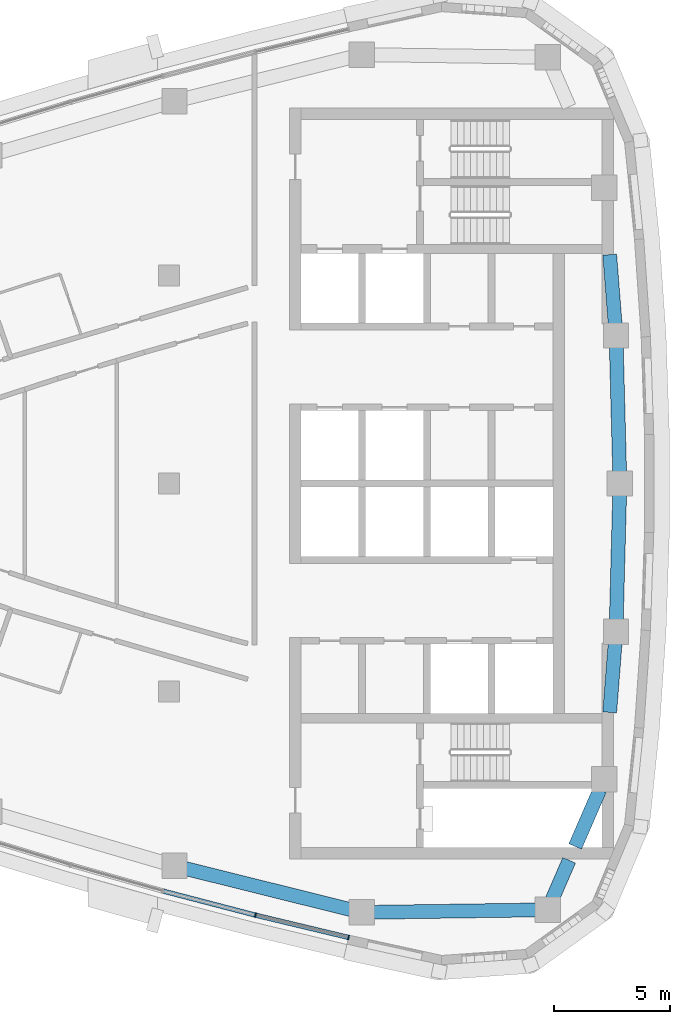
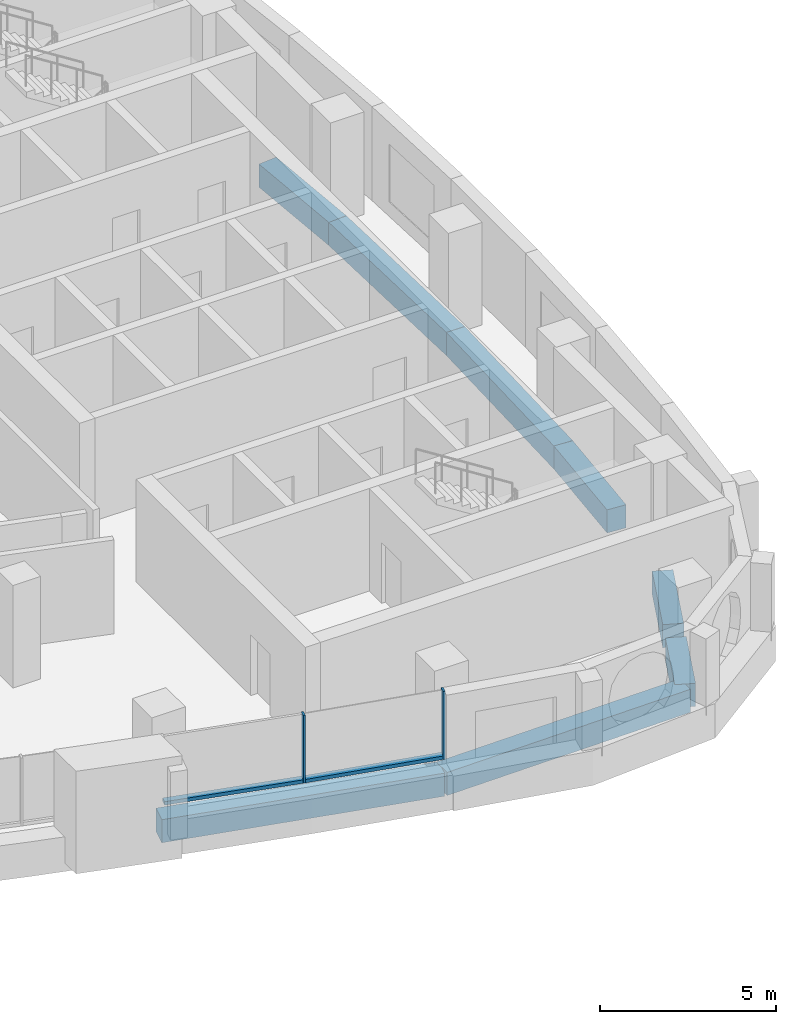
# One storey, part 4 of 14: 8 beams, 4 members, 1 element without a shape of its own.
"""IFC4 building model written with IfcOpenShell, lengths in metres."""

from ifc_helpers import new_model, si_unit, direction, frame, origin, origin_2d, place, context, subcontext, project, spatial, rectangle, extrude, material, layer, layer_set, material_profile, profile_set, type_object, element, aggregate, save


model = new_model("IFC4")

# Units and contexts
model_context = context("Model", 3, precision=1e-05, world=origin(), true_north=direction((0.0, 1.0)))
body_context = subcontext(model_context, "Body", "Model", "MODEL_VIEW")
ifc_project = project(units=[si_unit("LENGTHUNIT", "METRE"), si_unit("AREAUNIT", "SQUARE_METRE"), si_unit("VOLUMEUNIT", "CUBIC_METRE"), si_unit("PLANEANGLEUNIT", "RADIAN"), si_unit("MASSUNIT", "GRAM", prefix="KILO")], contexts=[model_context])

# Site, building, storey
site_placement = place(None, origin())
site = spatial("IfcSite", under=ifc_project, at=site_placement, CompositionType="ELEMENT")
building_placement = place(site_placement, origin())
building = spatial("IfcBuilding", under=site, at=building_placement, Name="Ostrand Prow Hotel Tower", CompositionType="ELEMENT")
storey_placement = place(building_placement, frame((0.0, 0.0, 275.0)))
storey = spatial("IfcBuildingStorey", under=building, at=storey_placement, Name="L69", CompositionType="ELEMENT", Elevation=275.0)

# Beams
ifc_material_1 = material(Name="Concrete C50/60", Category="concrete")
ifc_material_profile_1 = material_profile(ifc_material_1, rectangle(XDim=0.60009765625, YDim=0.800048828125, at=origin_2d()), Name="RC 600x800")
ifc_profile_set_1 = profile_set([ifc_material_profile_1], Name="Concrete C50/60")
beam_type = type_object("IfcBeamType", Name="Edge beam 600x800 C50/60", PredefinedType="SPANDREL", material=ifc_profile_set_1)
beam_1_placement = place(storey_placement, frame((45.234619140625, -16.53857421875, -0.699951171875), z_axis=(0.970456465292, -0.241276291775, 0.0), x_axis=(0.241276291775, 0.970456465292, 0.0)))
element("IfcBeam", 1, at=beam_1_placement, inside=storey, type_object=beam_type, Name="Edge beam S5-S6", PredefinedType="SPANDREL", context=body_context, shape_type="SweptSolid", body=[
    extrude(rectangle(XDim=0.60009765625, YDim=0.800048828125, at=origin_2d()), origin(), (0.0, 0.0, 1.0), 8.348876953125),
])
beam_2_placement = place(storey_placement, frame((53.3369140625, -18.552978515625, -0.699951171875), z_axis=(0.999900689486, 0.014092947356, 0.0), x_axis=(-0.014092947356, 0.999900689486, 0.0)))
element("IfcBeam", 2, at=beam_2_placement, inside=storey, type_object=beam_type, Name="Edge beam S6-SE", PredefinedType="SPANDREL", context=body_context, shape_type="SweptSolid", body=[
    extrude(rectangle(XDim=0.60009765625, YDim=0.800048828125, at=origin_2d()), origin(), (0.0, 0.0, 1.0), 8.0380859375),
])
beam_3_placement = place(storey_placement, frame((61.374267578125, -18.439697265625, -0.699951171875), z_axis=(0.398863844187, 0.91701016014, 0.0), x_axis=(-0.91701016014, 0.398863844187, 0.0)))
element("IfcBeam", 3, at=beam_3_placement, inside=storey, type_object=beam_type, Name="Edge beam SE-B1", PredefinedType="SPANDREL", context=body_context, shape_type="SweptSolid", body=[
    extrude(rectangle(XDim=0.60009765625, YDim=0.800048828125, at=origin_2d()), origin(), (0.0, 0.0, 1.0), 2.333251953125),
])
beam_4_placement = place(storey_placement, frame((62.56591796875, -15.699951171875, -0.699951171875), z_axis=(0.398799624102, 0.917038090712, 0.0), x_axis=(-0.917038090712, 0.398799624102, 0.0)))
element("IfcBeam", 4, at=beam_4_placement, inside=storey, type_object=beam_type, Name="Edge beam SE-B1", PredefinedType="SPANDREL", context=body_context, shape_type="SweptSolid", body=[
    extrude(rectangle(XDim=0.60009765625, YDim=0.800048828125, at=origin_2d()), origin(), (0.0, 0.0, 1.0), 2.671630859375),
])
beam_5_placement = place(storey_placement, frame((64.058349609375, -9.89990234375, -0.699951171875), z_axis=(0.078240080308, 0.996934546414, 0.0), x_axis=(-0.996934546414, 0.078240080308, 0.0)))
element("IfcBeam", 5, at=beam_5_placement, inside=storey, type_object=beam_type, Name="Edge beam B1-B2", PredefinedType="SPANDREL", context=body_context, shape_type="SweptSolid", body=[
    extrude(rectangle(XDim=0.60009765625, YDim=0.800048828125, at=origin_2d()), origin(), (0.0, 0.0, 1.0), 3.50732421875),
])
for number, where, z_axis, x_axis, name in (
    (6, (64.332763671875, -6.4033203125, -0.699951171875), (0.026108223987, 0.999659122221, 0.0), (-0.999659122221, 0.026108223987, 0.0), "Edge beam B2-B3"),
    (7, (64.5, 0.0, -0.699951171875), (-0.026108223987, 0.999659122221, 0.0), (-0.999659122221, -0.026108223987, 0.0), "Edge beam B3-B4"),
):
    element("IfcBeam", number, at=place(storey_placement, frame(where, z_axis=z_axis, x_axis=x_axis)), inside=storey, type_object=beam_type, Name=name, PredefinedType="SPANDREL", context=body_context, shape_type="SweptSolid", body=[
        extrude(rectangle(XDim=0.60009765625, YDim=0.800048828125, at=origin_2d()), origin(), (0.0, 0.0, 1.0), 6.405517578125),
    ])
beam_6_placement = place(storey_placement, frame((64.332763671875, 6.4033203125, -0.699951171875), z_axis=(-0.078240080308, 0.996934546414, 0.0), x_axis=(-0.996934546414, -0.078240080308, 0.0)))
element("IfcBeam", 8, at=beam_6_placement, inside=storey, type_object=beam_type, Name="Edge beam B4-B5", PredefinedType="SPANDREL", context=body_context, shape_type="SweptSolid", body=[
    extrude(rectangle(XDim=0.60009765625, YDim=0.800048828125, at=origin_2d()), origin(), (0.0, 0.0, 1.0), 3.50732421875),
])

# Curtain wall, members
ifc_material_2 = material(Name="Insulated glass in bronze anodised frame", Category="glass")
ifc_layer = layer(ifc_material_2, 0.199951171875)
ifc_layer_set = layer_set([ifc_layer], Name="Insulated glass in bronze anodised frame")
curtain_wall_type = type_object("IfcCurtainWallType", Name="Strip curtain wall, fritted glass over bronze spandrel", PredefinedType="NOTDEFINED", material=ifc_layer_set)
curtain_wall_placement = place(storey_placement, origin())
curtain_wall = element("IfcCurtainWall", 9, at=curtain_wall_placement, inside=storey, type_object=curtain_wall_type, Name="CW1 run CWS5", PredefinedType="NOTDEFINED")
ifc_material_3 = material(Name="Bronze anodised aluminium", Category="aluminium")
ifc_material_profile_2 = material_profile(ifc_material_3, rectangle(XDim=0.199951171875, YDim=0.06005859375, at=origin_2d()), Name="Mullion 60x200 bronze anodised aluminium")
ifc_profile_set_2 = profile_set([ifc_material_profile_2], Name="Bronze anodised aluminium")
member_type_1 = type_object("IfcMemberType", Name="Mullion 60x200 bronze anodised aluminium", PredefinedType="MULLION", material=ifc_profile_set_2)
member_1_placement = place(storey_placement, frame((48.734619140625, -18.6708984375, 0.89990234375), z_axis=(0.0, 0.0, 1.0), x_axis=(0.232746096028, 0.972537533869, 0.0)))
member_1 = element("IfcMember", 10, at=member_1_placement, type_object=member_type_1, Name="CW1 mullion 2", PredefinedType="MULLION", context=body_context, shape_type="SweptSolid", body=[
    extrude(rectangle(XDim=0.199951171875, YDim=0.06005859375, at=origin_2d()), origin(), (0.0, 0.0, 1.0), 2.35009765625),
])
member_2_placement = place(storey_placement, frame((52.7607421875, -19.634521484375, 0.89990234375), z_axis=(0.0, 0.0, 1.0), x_axis=(0.232746096028, 0.972537533869, 0.0)))
member_2 = element("IfcMember", 11, at=member_2_placement, type_object=member_type_1, Name="CW1 mullion 3", PredefinedType="MULLION", context=body_context, shape_type="SweptSolid", body=[
    extrude(rectangle(XDim=0.199951171875, YDim=0.06005859375, at=origin_2d()), origin(), (0.0, 0.0, 1.0), 2.35009765625),
])
ifc_material_4 = material(Name="Bronze anodised aluminium", Category="aluminium")
ifc_material_profile_3 = material_profile(ifc_material_4, rectangle(XDim=0.199951171875, YDim=0.1201171875, at=origin_2d()), Name="Transom 120x200 bronze anodised aluminium")
ifc_profile_set_3 = profile_set([ifc_material_profile_3], Name="Bronze anodised aluminium")
member_type_2 = type_object("IfcMemberType", Name="Transom 120x200 bronze anodised aluminium", PredefinedType="USERDEFINED", material=ifc_profile_set_3)
member_3_placement = place(storey_placement, frame((44.7578125, -17.63427734375, 0.9599609375), z_axis=(0.967664917891, -0.252239185461, 0.0), x_axis=(0.252239185461, 0.967664917891, 0.0)))
member_3 = element("IfcMember", 12, at=member_3_placement, type_object=member_type_2, Name="CW1 transom 1.1", ObjectType="TRANSOM", PredefinedType="USERDEFINED", context=body_context, shape_type="SweptSolid", body=[
    extrude(rectangle(XDim=0.199951171875, YDim=0.1201171875, at=origin_2d()), origin(), (0.0, 0.0, 1.0), 4.07958984375),
])
member_4_placement = place(storey_placement, frame((48.763671875, -18.677978515625, 0.9599609375), z_axis=(0.972542980558, -0.232723335675, 0.0), x_axis=(0.232723335675, 0.972542980558, 0.0)))
member_4 = element("IfcMember", 13, at=member_4_placement, type_object=member_type_2, Name="CW1 transom 2.1", ObjectType="TRANSOM", PredefinedType="USERDEFINED", context=body_context, shape_type="SweptSolid", body=[
    extrude(rectangle(XDim=0.199951171875, YDim=0.1201171875, at=origin_2d()), origin(), (0.0, 0.0, 1.0), 4.079833984375),
])
aggregate(curtain_wall, [member_1, member_2, member_3, member_4])

save(model, "model.ifc")
